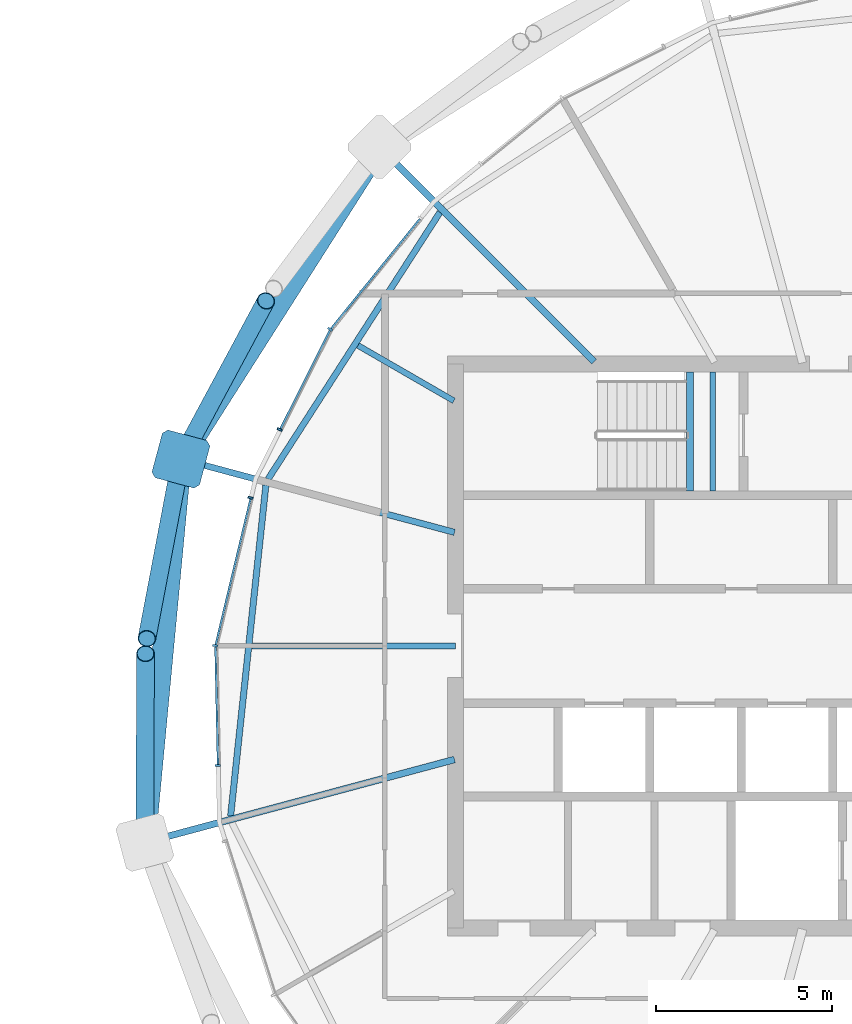
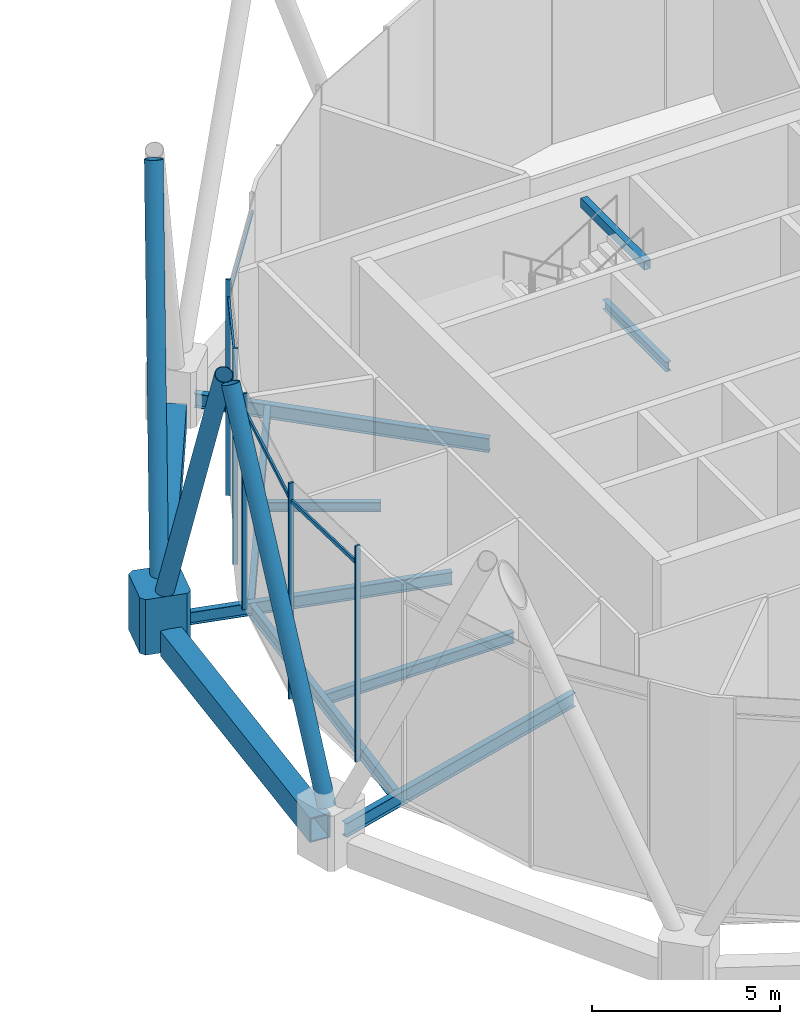
# One storey, part 11 of 28: 13 members, 11 beams, 1 element without a shape of its own.
"""IFC4 building model written with IfcOpenShell, lengths in metres."""

from ifc_helpers import new_model, si_unit, direction, frame, origin, origin_2d, place, context, subcontext, project, spatial, polyline, rectangle, hollow_rectangle, hollow_circle, i_section, outline, extrude, material, material_profile, profile_set, type_object, element, aggregate, save


model = new_model("IFC4")

# Units and contexts
model_context = context("Model", 3, precision=1e-05, world=origin(), true_north=direction((0.0, 1.0)))
body_context = subcontext(model_context, "Body", "Model", "MODEL_VIEW")
ifc_project = project(units=[si_unit("LENGTHUNIT", "METRE"), si_unit("AREAUNIT", "SQUARE_METRE"), si_unit("VOLUMEUNIT", "CUBIC_METRE"), si_unit("PLANEANGLEUNIT", "RADIAN"), si_unit("MASSUNIT", "GRAM", prefix="KILO")], contexts=[model_context])

# Site, building, storey
site_placement = place(None, origin())
site = spatial("IfcSite", under=ifc_project, at=site_placement, CompositionType="ELEMENT")
building_placement = place(site_placement, origin())
building = spatial("IfcBuilding", under=site, at=building_placement, Name="Rimbun Link Towers", CompositionType="ELEMENT")
storey_placement = place(building_placement, frame((0.0, 0.0, 256.10009765625)))
storey = spatial("IfcBuildingStorey", under=building, at=storey_placement, Name="L63", CompositionType="ELEMENT", Elevation=256.10009765625)

# Curtain wall, members
ifc_material_1 = material(Name="Aluminium 6063-T6 and low-iron glass", Category="aluminium")
curtain_wall_type = type_object("IfcCurtainWallType", Name="CW5 full height lobby wall", PredefinedType="NOTDEFINED", material=ifc_material_1)
curtain_wall_placement = place(storey_placement, origin())
curtain_wall = element("IfcCurtainWall", 1, at=curtain_wall_placement, inside=storey, type_object=curtain_wall_type, Name="CW5 L63 T2", PredefinedType="NOTDEFINED")
ifc_material_2 = material(Name="Aluminium 6063-T6", Category="aluminium")
ifc_material_profile_1 = material_profile(ifc_material_2, rectangle(XDim=0.14990234375, YDim=0.06005859375, at=origin_2d()), Name="MULLION 60X150")
ifc_profile_set_1 = profile_set([ifc_material_profile_1], Name="Aluminium 6063-T6")
member_type_1 = type_object("IfcMemberType", Name="CW5 mullion 60X150", PredefinedType="MULLION", material=ifc_profile_set_1)
member_1_placement = place(storey_placement, frame((16.197021484375, 8.983642578125, 0.0), z_axis=(0.0, 0.0, 1.0), x_axis=(-0.840316623202, 0.542095907354, 0.0)))
member_1 = element("IfcMember", 2, at=member_1_placement, type_object=member_type_1, Name="CW5 mullion", PredefinedType="MULLION", context=body_context, shape_type="SweptSolid", body=[
    extrude(rectangle(XDim=0.14990234375, YDim=0.06005859375, at=origin_2d()), origin(), (0.0, 0.0, 1.0), 7.0),
])
member_2_placement = place(storey_placement, frame((14.767333984375, 6.1376953125, 0.0), z_axis=(0.0, 0.0, 1.0), x_axis=(-0.893638831927, 0.448786851491, 0.0)))
member_2 = element("IfcMember", 3, at=member_2_placement, type_object=member_type_1, Name="CW5 mullion", PredefinedType="MULLION", context=body_context, shape_type="SweptSolid", body=[
    extrude(rectangle(XDim=0.14990234375, YDim=0.06005859375, at=origin_2d()), origin(), (0.0, 0.0, 1.0), 7.0),
])
member_3_placement = place(storey_placement, frame((12.935546875, 0.008056640625, 0.0), z_axis=(0.0, 0.0, 1.0), x_axis=(-0.994297489932, 0.106641931315, 0.0)))
member_3 = element("IfcMember", 4, at=member_3_placement, type_object=member_type_1, Name="CW5 mullion", PredefinedType="MULLION", context=body_context, shape_type="SweptSolid", body=[
    extrude(rectangle(XDim=0.14990234375, YDim=0.06005859375, at=origin_2d()), origin(), (0.0, 0.0, 1.0), 7.0),
])
member_4_placement = place(storey_placement, frame((13.937744140625, 4.201416015625, 0.0), z_axis=(0.0, 0.0, 1.0), x_axis=(-0.972571087452, 0.232605846557, 0.0)))
member_4 = element("IfcMember", 5, at=member_4_placement, type_object=member_type_1, Name="CW5 mullion", PredefinedType="MULLION", context=body_context, shape_type="SweptSolid", body=[
    extrude(rectangle(XDim=0.14990234375, YDim=0.06005859375, at=origin_2d()), origin(), (0.0, 0.0, 1.0), 7.0),
])
member_5_placement = place(storey_placement, frame((13.006591796875, -3.39501953125, 0.0), z_axis=(0.0, 0.0, 1.0), x_axis=(-0.9997781209, -0.021064400542, 0.0)))
member_5 = element("IfcMember", 6, at=member_5_placement, type_object=member_type_1, Name="CW5 mullion", PredefinedType="MULLION", context=body_context, shape_type="SweptSolid", body=[
    extrude(rectangle(XDim=0.14990234375, YDim=0.06005859375, at=origin_2d()), origin(), (0.0, 0.0, 1.0), 7.0),
])
ifc_material_3 = material(Name="Aluminium 6063-T6", Category="aluminium")
ifc_material_profile_2 = material_profile(ifc_material_3, rectangle(XDim=0.06005859375, YDim=0.1201171875, at=origin_2d()), Name="TRANSOM 60X120")
ifc_profile_set_2 = profile_set([ifc_material_profile_2], Name="Aluminium 6063-T6")
member_type_2 = type_object("IfcMemberType", Name="CW5 transom 60X120", PredefinedType="USERDEFINED", material=ifc_profile_set_2)
member_6_placement = place(storey_placement, frame((16.230712890625, 9.00537109375, 6.39990234375), z_axis=(0.629149002871, 0.777284717582, 0.0), x_axis=(-0.777284717582, 0.629149002871, 0.0)))
member_6 = element("IfcMember", 7, at=member_6_placement, type_object=member_type_2, Name="CW5 transom", ObjectType="TRANSOM", PredefinedType="USERDEFINED", context=body_context, shape_type="SweptSolid", body=[
    extrude(rectangle(XDim=0.06005859375, YDim=0.1201171875, at=origin_2d()), origin(), (0.0, 0.0, 1.0), 3.994873046875),
])
member_7_placement = place(storey_placement, frame((14.79248046875, 6.15869140625, 6.39990234375), z_axis=(0.448748189712, 0.893658246888, 0.0), x_axis=(-0.893658246888, 0.448748189712, 0.0)))
member_7 = element("IfcMember", 8, at=member_7_placement, type_object=member_type_2, Name="CW5 transom", ObjectType="TRANSOM", PredefinedType="USERDEFINED", context=body_context, shape_type="SweptSolid", body=[
    extrude(rectangle(XDim=0.06005859375, YDim=0.1201171875, at=origin_2d()), origin(), (0.0, 0.0, 1.0), 3.116943359375),
])
member_8_placement = place(storey_placement, frame((12.956787109375, 0.043701171875, 6.39990234375), z_axis=(0.232637122646, 0.972563606746, 0.0), x_axis=(-0.972563606746, 0.232637122646, 0.0)))
member_8 = element("IfcMember", 9, at=member_8_placement, type_object=member_type_2, Name="CW5 transom", ObjectType="TRANSOM", PredefinedType="USERDEFINED", context=body_context, shape_type="SweptSolid", body=[
    extrude(rectangle(XDim=0.06005859375, YDim=0.1201171875, at=origin_2d()), origin(), (0.0, 0.0, 1.0), 4.241943359375),
])
member_9_placement = place(storey_placement, frame((13.01904296875, -3.36474609375, 6.39990234375), z_axis=(-0.021088029542, 0.999777622779, 0.0), x_axis=(-0.999777622779, -0.021088029542, 0.0)))
member_9 = element("IfcMember", 10, at=member_9_placement, type_object=member_type_2, Name="CW5 transom", ObjectType="TRANSOM", PredefinedType="USERDEFINED", context=body_context, shape_type="SweptSolid", body=[
    extrude(rectangle(XDim=0.06005859375, YDim=0.1201171875, at=origin_2d()), origin(), (0.0, 0.0, 1.0), 3.334228515625),
])
aggregate(curtain_wall, [member_1, member_2, member_3, member_4, member_5, member_6, member_7, member_8, member_9])

# Members
ifc_material_4 = material(Name="Steel S355J2H", Category="steel")
ifc_material_profile_3 = material_profile(ifc_material_4, hollow_circle(Radius=0.25390625, WallThickness=0.02001953125, at=origin_2d()), Name="Diagrid diagonal CHS 508x20")
ifc_profile_set_3 = profile_set([ifc_material_profile_3], Name="Steel S355J2H")
member_type_3 = type_object("IfcMemberType", Name="Diagrid diagonal CHS 508x20", PredefinedType="BRACE", material=ifc_profile_set_3)
member_10_placement = place(storey_placement, frame((12.064453125, 5.485595703125, 0.453857421875), z_axis=(0.198275544432, 0.368901770359, 0.908073946497), x_axis=(-0.880833514859, 0.473426149575, 0.0)))
element("IfcMember", 11, at=member_10_placement, inside=storey, type_object=member_type_3, Name="Diagrid diagonal T2 L63-L65 08a", PredefinedType="BRACE", context=body_context, shape_type="SweptSolid", body=[
    extrude(hollow_circle(Radius=0.25390625, WallThickness=0.02001953125, at=origin_2d()), origin(), (0.0, 0.0, 1.0), 11.664306640625),
])
member_11_placement = place(storey_placement, frame((11.92578125, 5.092529296875, 0.452392578125), z_axis=(-0.079188760981, -0.417305578151, 0.905309446862), x_axis=(0.982467296447, -0.186435005865, 0.0)))
element("IfcMember", 12, at=member_11_placement, inside=storey, type_object=member_type_3, Name="Diagrid diagonal T2 L63-L65 08b", PredefinedType="BRACE", context=body_context, shape_type="SweptSolid", body=[
    extrude(hollow_circle(Radius=0.25390625, WallThickness=0.02001953125, at=origin_2d()), origin(), (0.0, 0.0, 1.0), 11.703125),
])
member_12_placement = place(storey_placement, frame((10.942626953125, -5.357421875, 0.44970703125), z_axis=(0.001367788692, 0.436262420484, 0.899818442591), x_axis=(-0.999995085162, 0.003135227572, 0.0)))
element("IfcMember", 13, at=member_12_placement, inside=storey, type_object=member_type_3, Name="Diagrid diagonal T2 L63-L65 10a", PredefinedType="BRACE", context=body_context, shape_type="SweptSolid", body=[
    extrude(hollow_circle(Radius=0.25390625, WallThickness=0.02001953125, at=origin_2d()), origin(), (0.0, 0.0, 1.0), 11.780517578125),
])
ifc_material_5 = material(Name="Cast steel G20Mn5+QT, Rp0.2 300 MPa", Category="steel")
ifc_material_profile_4 = material_profile(ifc_material_5, outline(polyline([(0.699951171875, -0.570068359375), (0.699951171875, 0.570068359375), (0.570068359375, 0.699951171875), (-0.570068359375, 0.699951171875), (-0.699951171875, 0.570068359375), (-0.699951171875, -0.570068359375), (-0.570068359375, -0.699951171875), (0.570068359375, -0.699951171875), (0.699951171875, -0.570068359375)])), Name="NODE 1400x1400")
ifc_profile_set_4 = profile_set([ifc_material_profile_4], Name="Cast steel G20Mn5+QT, Rp0.2 300 MPa")
member_type_4 = type_object("IfcMemberType", Name="Diagrid node cast 1400", PredefinedType="USERDEFINED", material=ifc_profile_set_4)
member_13_placement = place(storey_placement, frame((11.96533203125, 5.30126953125, -0.900146484375), z_axis=(0.0, 0.0, 1.0), x_axis=(-0.965925826289, 0.258819045103, 0.0)))
element("IfcMember", 14, at=member_13_placement, inside=storey, type_object=member_type_4, Name="Diagrid node L63 08", ObjectType="Diagrid node", PredefinedType="USERDEFINED", context=body_context, shape_type="SweptSolid", body=[
    extrude(outline(polyline([(0.699951171875, -0.570068359375), (0.699951171875, 0.570068359375), (0.570068359375, 0.699951171875), (-0.570068359375, 0.699951171875), (-0.699951171875, 0.570068359375), (-0.699951171875, -0.570068359375), (-0.570068359375, -0.699951171875), (0.570068359375, -0.699951171875), (0.699951171875, -0.570068359375)])), origin(), (0.0, 0.0, 1.0), 1.800048828125),
])

# Beams
ifc_material_6 = material(Name="Steel S355J2", Category="steel")
ifc_material_profile_5 = material_profile(ifc_material_6, hollow_rectangle(XDim=0.60009765625, YDim=0.800048828125, WallThickness=0.0400390625, at=origin_2d()), Name="Exoskeleton ring girder BOX 600x800x40")
ifc_profile_set_5 = profile_set([ifc_material_profile_5], Name="Steel S355J2")
beam_type_1 = type_object("IfcBeamType", Name="Exoskeleton ring girder BOX 600x800x40", PredefinedType="BEAM", material=ifc_profile_set_5)
beam_1_placement = place(storey_placement, frame((17.221923828125, 13.561767578125, -0.56005859375), z_axis=(-0.536856377683, -0.843673651207, 0.0), x_axis=(0.843673651207, -0.536856377683, 0.0)))
element("IfcBeam", 15, at=beam_1_placement, inside=storey, type_object=beam_type_1, Name="Exoskeleton ring girder L63 03", PredefinedType="BEAM", context=body_context, shape_type="SweptSolid", body=[
    extrude(hollow_rectangle(XDim=0.60009765625, YDim=0.800048828125, WallThickness=0.0400390625, at=origin_2d()), origin(), (0.0, 0.0, 1.0), 9.091064453125),
])
beam_2_placement = place(storey_placement, frame((11.89990234375, 4.6044921875, -0.56005859375), z_axis=(-0.093682918903, -0.995602084523, 0.0), x_axis=(0.995602084523, -0.093682918903, 0.0)))
element("IfcBeam", 16, at=beam_2_placement, inside=storey, type_object=beam_type_1, Name="Exoskeleton ring girder L63 04", PredefinedType="BEAM", context=body_context, shape_type="SweptSolid", body=[
    extrude(hollow_rectangle(XDim=0.60009765625, YDim=0.800048828125, WallThickness=0.0400390625, at=origin_2d()), origin(), (0.0, 0.0, 1.0), 9.525146484375),
])
ifc_material_7 = material(Name="Steel S355J2", Category="steel")
ifc_material_profile_6 = material_profile(ifc_material_7, i_section(OverallWidth=0.1650390625, OverallDepth=0.303466796875, WebThickness=0.006103515625, FlangeThickness=0.01025390625, at=origin_2d()), Name="UB 305x165x40")
ifc_profile_set_6 = profile_set([ifc_material_profile_6], Name="Steel S355J2")
beam_type_2 = type_object("IfcBeamType", Name="Stair landing beam UB 305x165x40", PredefinedType="BEAM", material=ifc_profile_set_6)
beam_3_placement = place(storey_placement, frame((27.050048828125, 7.77490234375, 3.148193359375), z_axis=(0.0, -1.0, 0.0), x_axis=(1.0, 0.0, 0.0)))
element("IfcBeam", 17, at=beam_3_placement, inside=storey, type_object=beam_type_2, Name="L63 ST3 stair beam 1", PredefinedType="BEAM", context=body_context, shape_type="SweptSolid", body=[
    extrude(i_section(OverallWidth=0.1650390625, OverallDepth=0.303466796875, WebThickness=0.006103515625, FlangeThickness=0.01025390625, at=origin_2d()), origin(), (0.0, 0.0, 1.0), 3.375),
])
ifc_material_8 = material(Name="Steel S355J2", Category="steel")
ifc_material_profile_7 = material_profile(ifc_material_8, hollow_rectangle(XDim=0.199951171875, YDim=0.300048828125, WallThickness=0.011962890625, at=origin_2d()), Name="BOX 300x200x12")
ifc_profile_set_7 = profile_set([ifc_material_profile_7], Name="Steel S355J2")
beam_type_3 = type_object("IfcBeamType", Name="Stair trimmer beam BOX 300x200x12", PredefinedType="BEAM", material=ifc_profile_set_7)
beam_4_placement = place(storey_placement, frame((26.39990234375, 7.77490234375, 6.669921875), z_axis=(0.0, -1.0, 0.0), x_axis=(1.0, 0.0, 0.0)))
element("IfcBeam", 18, at=beam_4_placement, inside=storey, type_object=beam_type_3, Name="L63 ST3 stair beam 2", PredefinedType="BEAM", context=body_context, shape_type="SweptSolid", body=[
    extrude(hollow_rectangle(XDim=0.199951171875, YDim=0.300048828125, WallThickness=0.011962890625, at=origin_2d()), origin(), (0.0, 0.0, 1.0), 3.375),
])
ifc_material_9 = material(Name="Steel S355J2", Category="steel")
ifc_material_profile_8 = material_profile(ifc_material_9, i_section(OverallWidth=0.1650390625, OverallDepth=0.303466796875, WebThickness=0.006103515625, FlangeThickness=0.01025390625, at=origin_2d()), Name="UB 305x165x40")
ifc_profile_set_8 = profile_set([ifc_material_profile_8], Name="Steel S355J2")
beam_type_4 = type_object("IfcBeamType", Name="UB 305x165x40", PredefinedType="BEAM", material=ifc_profile_set_8)
beam_5_placement = place(storey_placement, frame((19.7080078125, 6.952392578125, -0.331787109375), z_axis=(-0.866035522163, 0.499982474044, 0.0), x_axis=(-0.499982474044, -0.866035522163, 0.0)))
element("IfcBeam", 19, at=beam_5_placement, inside=storey, type_object=beam_type_4, Name="Radial beam T2 L63 07", PredefinedType="BEAM", context=body_context, shape_type="SweptSolid", body=[
    extrude(i_section(OverallWidth=0.1650390625, OverallDepth=0.303466796875, WebThickness=0.006103515625, FlangeThickness=0.01025390625, at=origin_2d()), origin(), (0.0, 0.0, 1.0), 3.142578125),
])
ifc_material_10 = material(Name="Steel S355J2", Category="steel")
ifc_material_profile_9 = material_profile(ifc_material_10, i_section(OverallWidth=0.17138671875, OverallDepth=0.35498046875, WebThickness=0.00732421875, FlangeThickness=0.011474609375, at=origin_2d()), Name="UB 356x171x51")
ifc_profile_set_9 = profile_set([ifc_material_profile_9], Name="Steel S355J2")
beam_type_5 = type_object("IfcBeamType", Name="UB 356x171x51", PredefinedType="BEAM", material=ifc_profile_set_9)
beam_6_placement = place(storey_placement, frame((19.7490234375, 0.0, -0.357666015625), z_axis=(-1.0, 0.0, 0.0), x_axis=(0.0, -1.0, 0.0)))
element("IfcBeam", 20, at=beam_6_placement, inside=storey, type_object=beam_type_5, Name="Radial beam T2 L63 09", PredefinedType="BEAM", context=body_context, shape_type="SweptSolid", body=[
    extrude(i_section(OverallWidth=0.17138671875, OverallDepth=0.35498046875, WebThickness=0.00732421875, FlangeThickness=0.011474609375, at=origin_2d()), origin(), (0.0, 0.0, 1.0), 5.769287109375),
])
ifc_material_11 = material(Name="Steel S355J2", Category="steel")
ifc_material_profile_10 = material_profile(ifc_material_11, i_section(OverallWidth=0.177978515625, OverallDepth=0.406494140625, WebThickness=0.0078125, FlangeThickness=0.0126953125, at=origin_2d()), Name="UB 406x178x60")
ifc_profile_set_10 = profile_set([ifc_material_profile_10], Name="Steel S355J2")
beam_type_6 = type_object("IfcBeamType", Name="UB 406x178x60", PredefinedType="BEAM", material=ifc_profile_set_10)
beam_7_placement = place(storey_placement, frame((19.72607421875, 3.221923828125, -0.38330078125), z_axis=(-0.965928236103, 0.258810051386, 0.0), x_axis=(-0.258810051386, -0.965928236103, 0.0)))
element("IfcBeam", 21, at=beam_7_placement, inside=storey, type_object=beam_type_6, Name="Radial beam T2 L63 08", PredefinedType="BEAM", context=body_context, shape_type="SweptSolid", body=[
    extrude(i_section(OverallWidth=0.177978515625, OverallDepth=0.406494140625, WebThickness=0.0078125, FlangeThickness=0.0126953125, at=origin_2d()), origin(), (0.0, 0.0, 1.0), 7.5341796875),
])
beam_8_placement = place(storey_placement, frame((19.313232421875, 12.301025390625, -0.38330078125), z_axis=(-0.541642580806, -0.840608895181, 0.0), x_axis=(0.840608895181, -0.541642580806, 0.0)))
element("IfcBeam", 22, at=beam_8_placement, inside=storey, type_object=beam_type_6, Name="Edge beam T2 L63 06-08", PredefinedType="BEAM", context=body_context, shape_type="SweptSolid", body=[
    extrude(i_section(OverallWidth=0.177978515625, OverallDepth=0.406494140625, WebThickness=0.0078125, FlangeThickness=0.0126953125, at=origin_2d()), origin(), (0.0, 0.0, 1.0), 9.00390625),
])
beam_9_placement = place(storey_placement, frame((14.37548828125, 4.562255859375, -0.38330078125), z_axis=(-0.106013495681, -0.994364691013, 0.0), x_axis=(0.994364691013, -0.106013495681, 0.0)))
element("IfcBeam", 23, at=beam_9_placement, inside=storey, type_object=beam_type_6, Name="Edge beam T2 L63 08-10", PredefinedType="BEAM", context=body_context, shape_type="SweptSolid", body=[
    extrude(i_section(OverallWidth=0.177978515625, OverallDepth=0.406494140625, WebThickness=0.0078125, FlangeThickness=0.0126953125, at=origin_2d()), origin(), (0.0, 0.0, 1.0), 9.439697265625),
])
ifc_material_12 = material(Name="Steel S355J2", Category="steel")
ifc_material_profile_11 = material_profile(ifc_material_12, i_section(OverallWidth=0.18994140625, OverallDepth=0.453369140625, WebThickness=0.008544921875, FlangeThickness=0.0126953125, at=origin_2d()), Name="UB 457x191x67")
ifc_profile_set_11 = profile_set([ifc_material_profile_11], Name="Steel S355J2")
beam_type_7 = type_object("IfcBeamType", Name="UB 457x191x67", PredefinedType="BEAM", material=ifc_profile_set_11)
beam_10_placement = place(storey_placement, frame((23.68212890625, 8.06787109375, -0.40673828125), z_axis=(-0.707106781187, 0.707106781187, 0.0), x_axis=(-0.707106781187, -0.707106781187, 0.0)))
element("IfcBeam", 24, at=beam_10_placement, inside=storey, type_object=beam_type_7, Name="Radial beam T2 L63 06", PredefinedType="BEAM", context=body_context, shape_type="SweptSolid", body=[
    extrude(i_section(OverallWidth=0.18994140625, OverallDepth=0.453369140625, WebThickness=0.008544921875, FlangeThickness=0.0126953125, at=origin_2d()), origin(), (0.0, 0.0, 1.0), 8.1044921875),
])
beam_11_placement = place(storey_placement, frame((19.724609375, -3.22216796875, -0.40673828125), z_axis=(-0.965925348913, -0.258820826688, 0.0), x_axis=(0.258820826688, -0.965925348913, 0.0)))
element("IfcBeam", 25, at=beam_11_placement, inside=storey, type_object=beam_type_7, Name="Radial beam T2 L63 10", PredefinedType="BEAM", context=body_context, shape_type="SweptSolid", body=[
    extrude(i_section(OverallWidth=0.18994140625, OverallDepth=0.453369140625, WebThickness=0.008544921875, FlangeThickness=0.0126953125, at=origin_2d()), origin(), (0.0, 0.0, 1.0), 8.59228515625),
])

save(model, "model.ifc")
